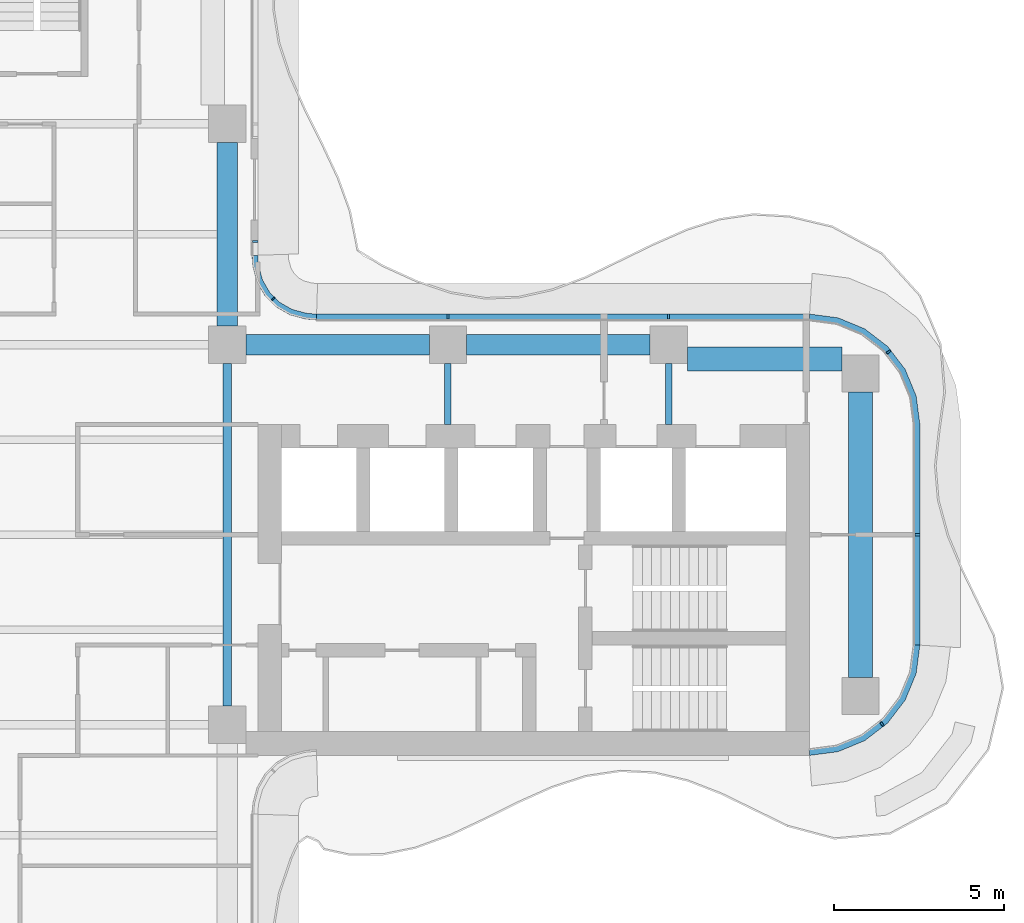
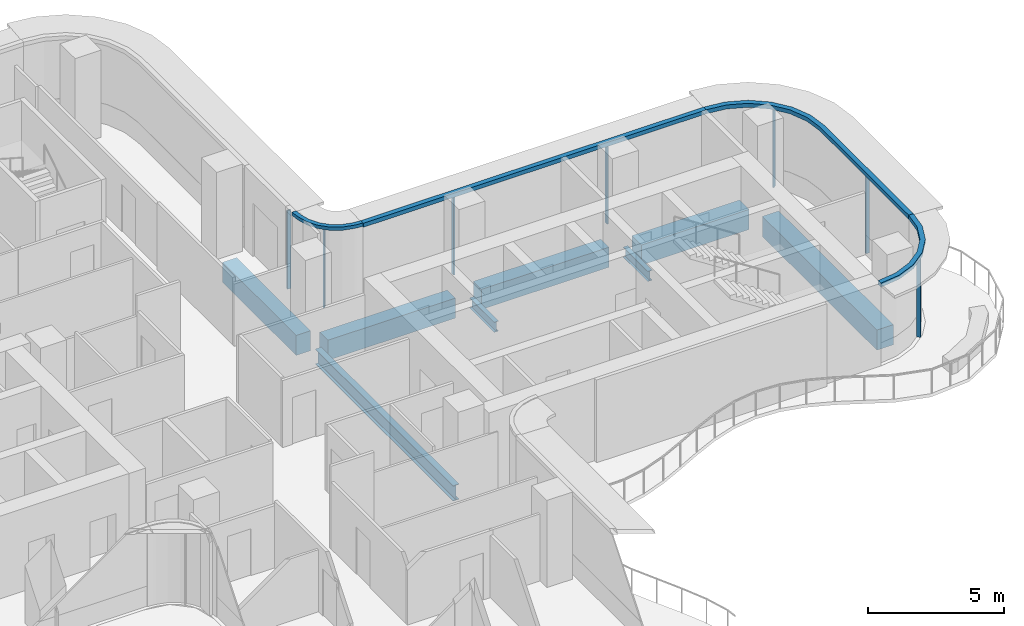
# One storey, part 6 of 16: 11 members, 8 beams, 5 elements without a shape of their own.
"""IFC4 building model written with IfcOpenShell, lengths in metres."""

from ifc_helpers import new_model, si_unit, direction, frame, origin, origin_2d, place, context, subcontext, project, spatial, polyline, rectangle, i_section, outline, extrude, source, transform, mapped, material, layer, layer_set, material_profile, profile_set, type_object, element, aggregate, save


model = new_model("IFC4")

# Units and contexts
model_context = context("Model", 3, precision=1e-05, world=origin(), true_north=direction((0.0, 1.0)))
body_context = subcontext(model_context, "Body", "Model", "MODEL_VIEW")
ifc_project = project(units=[si_unit("LENGTHUNIT", "METRE"), si_unit("AREAUNIT", "SQUARE_METRE"), si_unit("VOLUMEUNIT", "CUBIC_METRE"), si_unit("PLANEANGLEUNIT", "RADIAN"), si_unit("MASSUNIT", "GRAM", prefix="KILO")], contexts=[model_context])

# Site, building, storey
site_placement = place(None, origin())
site = spatial("IfcSite", under=ifc_project, at=site_placement, CompositionType="ELEMENT")
building_placement = place(site_placement, origin())
building = spatial("IfcBuilding", under=site, at=building_placement, Name="Trellis Farm Tower", CompositionType="ELEMENT")
storey_placement = place(building_placement, frame((0.0, 0.0, 263.60009765625)))
storey = spatial("IfcBuildingStorey", under=building, at=storey_placement, Name="L59", CompositionType="ELEMENT", Elevation=263.60009765625)

# Beams
ifc_material_1 = material(Name="Steel S355", Category="steel")
ifc_material_profile_1 = material_profile(ifc_material_1, i_section(OverallWidth=0.253662109375, OverallDepth=0.68359375, WebThickness=0.012451171875, FlangeThickness=0.021728515625, FilletRadius=0.01513671875, at=origin_2d()), Name="UB 686x254x140")
ifc_profile_set_1 = profile_set([ifc_material_profile_1], Name="Steel S355")
beam_type_1 = type_object("IfcBeamType", Name="UB 686x254x140", PredefinedType="BEAM", material=ifc_profile_set_1)
shared_shape_1 = source(origin(), body_context, "Body", "SweptSolid", [
    extrude(i_section(OverallWidth=0.253662109375, OverallDepth=0.68359375, WebThickness=0.012451171875, FlangeThickness=0.021728515625, FilletRadius=0.01513671875, at=origin_2d()), origin(), (0.0, 0.0, 1.0), 10.10009765625),
])
beam_1_placement = place(storey_placement, frame((5.60009765625, -5.050048828125, -0.541748046875), z_axis=(0.0, 1.0, 0.0), x_axis=(-1.0, 0.0, 0.0)))
element("IfcBeam", 1, at=beam_1_placement, inside=storey, type_object=beam_type_1, Name="Girder", PredefinedType="BEAM", context=body_context, shape_type="MappedRepresentation", body=[
    mapped(shared_shape_1, transform((0.0, 0.0, 0.0))),
])
ifc_material_profile_2 = material_profile(ifc_material_1, i_section(OverallWidth=0.1904296875, OverallDepth=0.45703125, WebThickness=0.009033203125, FlangeThickness=0.014404296875, FilletRadius=0.01025390625, at=origin_2d()), Name="UB 457x191x74")
ifc_profile_set_2 = profile_set([ifc_material_profile_2], Name="Steel S355")
beam_type_2 = type_object("IfcBeamType", Name="UB 457x191x74", PredefinedType="BEAM", material=ifc_profile_set_2)
shared_shape_2 = source(origin(), body_context, "Body", "SweptSolid", [
    extrude(i_section(OverallWidth=0.1904296875, OverallDepth=0.45703125, WebThickness=0.009033203125, FlangeThickness=0.014404296875, FilletRadius=0.01025390625, at=origin_2d()), origin(), (0.0, 0.0, 1.0), 1.800048828125),
])
for number, where, z_axis, x_axis, name in (
    (2, (12.10009765625, 3.25, -0.4287109375), (0.0, 1.0, 0.0), (-1.0, 0.0, 0.0), "Girder"),
    (3, (18.60009765625, 3.25, -0.4287109375), (0.0, 1.0, 0.0), (-1.0, 0.0, 0.0), "Girder"),
):
    element("IfcBeam", number, at=place(storey_placement, frame(where, z_axis=z_axis, x_axis=x_axis)), inside=storey, type_object=beam_type_2, Name=name, PredefinedType="BEAM", context=body_context, shape_type="MappedRepresentation", body=[
        mapped(shared_shape_2, transform((0.0, 0.0, 0.0))),
    ])
ifc_material_2 = material(Name="Concrete C60/75", Category="concrete")
ifc_material_profile_3 = material_profile(ifc_material_2, rectangle(XDim=0.60009765625, YDim=0.89990234375, at=origin_2d()), Name="RC spandrel beam 600x900 C60/75")
ifc_profile_set_3 = profile_set([ifc_material_profile_3], Name="Concrete C60/75")
beam_type_3 = type_object("IfcBeamType", Name="RC spandrel beam 600x900 C60/75", PredefinedType="SPANDREL", material=ifc_profile_set_3)
shared_shape_3 = source(origin(), body_context, "Body", "SweptSolid", [
    extrude(rectangle(XDim=0.60009765625, YDim=0.89990234375, at=origin_2d()), origin(), (0.0, 0.0, 1.0), 5.400146484375),
])
for number, where, z_axis, x_axis, name in (
    (4, (6.14990234375, 5.60009765625, -0.650146484375), (1.0, 0.0, 0.0), (0.0, 1.0, 0.0), "Girder"),
    (5, (12.64990234375, 5.60009765625, -0.650146484375), (1.0, 0.0, 0.0), (0.0, 1.0, 0.0), "Girder"),
    (6, (5.60009765625, 6.14990234375, -0.650146484375), (0.0, 1.0, 0.0), (-1.0, 0.0, 0.0), "Girder"),
):
    element("IfcBeam", number, at=place(storey_placement, frame(where, z_axis=z_axis, x_axis=x_axis)), inside=storey, type_object=beam_type_3, Name=name, PredefinedType="SPANDREL", context=body_context, shape_type="MappedRepresentation", body=[
        mapped(shared_shape_3, transform((0.0, 0.0, 0.0))),
    ])
ifc_material_profile_4 = material_profile(ifc_material_2, rectangle(XDim=0.699951171875, YDim=0.89990234375, at=origin_2d()), Name="RC spandrel beam 700x900 C60/75")
ifc_profile_set_4 = profile_set([ifc_material_profile_4], Name="Concrete C60/75")
beam_type_4 = type_object("IfcBeamType", Name="RC spandrel beam 700x900 C60/75", PredefinedType="SPANDREL", material=ifc_profile_set_4)
shared_shape_4 = source(origin(), body_context, "Body", "SweptSolid", [
    extrude(rectangle(XDim=0.699951171875, YDim=0.89990234375, at=origin_2d()), origin(), (0.0, 0.0, 1.0), 8.39990234375),
])
beam_2_placement = place(storey_placement, frame((24.25, -4.199951171875, -0.650146484375), z_axis=(0.0, 1.0, 0.0), x_axis=(-1.0, 0.0, 0.0)))
element("IfcBeam", 7, at=beam_2_placement, inside=storey, type_object=beam_type_4, Name="Girder", PredefinedType="SPANDREL", context=body_context, shape_type="MappedRepresentation", body=[
    mapped(shared_shape_4, transform((0.0, 0.0, 0.0))),
])
shared_shape_5 = source(origin(), body_context, "Body", "SweptSolid", [
    extrude(rectangle(XDim=0.699951171875, YDim=0.89990234375, at=origin_2d()), origin(), (0.0, 0.0, 1.0), 4.550048828125),
])
beam_3_placement = place(storey_placement, frame((19.14990234375, 5.175048828125, -0.650146484375), z_axis=(1.0, 0.0, 0.0), x_axis=(0.0, 1.0, 0.0)))
element("IfcBeam", 8, at=beam_3_placement, inside=storey, type_object=beam_type_4, Name="Girder", PredefinedType="SPANDREL", context=body_context, shape_type="MappedRepresentation", body=[
    mapped(shared_shape_5, transform((0.0, 0.0, 0.0))),
])

# Curtain wall, member
ifc_material_3 = material(Name="Aluminium and glass curtain wall", Category="aluminium")
ifc_layer_1 = layer(ifc_material_3, 0.18994140625)
ifc_layer_set_1 = layer_set([ifc_layer_1], Name="RIBBON CURTAIN WALL CW1")
curtain_wall_type_1 = type_object("IfcCurtainWallType", Name="RIBBON CURTAIN WALL CW1", PredefinedType="NOTDEFINED", material=ifc_layer_set_1)
placement_1 = place(storey_placement, origin())
curtain_wall_1 = element("IfcCurtainWall", 9, at=placement_1, inside=storey, type_object=curtain_wall_type_1, Name="CW1 005", PredefinedType="NOTDEFINED")
ifc_material_4 = material(Name="Aluminium extrusion 6063-T6", Category="aluminium")
ifc_material_profile_5 = material_profile(ifc_material_4, rectangle(XDim=0.06005859375, YDim=0.14990234375, at=origin_2d()), Name="MULLION 60x150")
ifc_profile_set_5 = profile_set([ifc_material_profile_5], Name="Aluminium extrusion 6063-T6")
member_type_1 = type_object("IfcMemberType", Name="CW1 MULLION 60x150", PredefinedType="MULLION", material=ifc_profile_set_5)
shared_shape_6 = source(origin(), body_context, "Body", "SweptSolid", [
    extrude(rectangle(XDim=0.06005859375, YDim=0.14990234375, at=origin_2d()), origin(), (0.0, 0.0, 1.0), 3.52001953125),
])
member_1_placement = place(storey_placement, frame((24.885498046875, -5.578369140625, 0.0), z_axis=(0.0, 0.0, 1.0), x_axis=(0.793353340291, 0.608761429009, 0.0)))
member_1 = element("IfcMember", 10, at=member_1_placement, type_object=member_type_1, Name="MU1 005-01", PredefinedType="MULLION", context=body_context, shape_type="MappedRepresentation", body=[
    mapped(shared_shape_6, transform((0.0, 0.0, 0.0))),
])

# Curtain wall, members
curtain_wall_2 = element("IfcCurtainWall", 11, at=placement_1, inside=storey, type_object=curtain_wall_type_1, Name="CW1 006", PredefinedType="NOTDEFINED")
member_2_placement = place(storey_placement, frame((25.925048828125, 0.0, 0.0), z_axis=(0.0, 0.0, 1.0), x_axis=(0.0, 1.0, 0.0)))
member_2 = element("IfcMember", 12, at=member_2_placement, type_object=member_type_1, Name="MU1 006-01", PredefinedType="MULLION", context=body_context, shape_type="MappedRepresentation", body=[
    mapped(shared_shape_6, transform((0.0, 0.0, 0.0))),
])
member_3_placement = place(storey_placement, frame((25.078369140625, 5.385498046875, 0.0), z_axis=(0.0, 0.0, 1.0), x_axis=(-0.608761429009, 0.793353340291, 0.0)))
member_3 = element("IfcMember", 13, at=member_3_placement, type_object=member_type_1, Name="MU1 006-02", PredefinedType="MULLION", context=body_context, shape_type="MappedRepresentation", body=[
    mapped(shared_shape_6, transform((0.0, 0.0, 0.0))),
])

curtain_wall_3 = element("IfcCurtainWall", 14, at=placement_1, inside=storey, type_object=curtain_wall_type_1, Name="CW1 007", PredefinedType="NOTDEFINED")
member_4_placement = place(storey_placement, frame((18.60009765625, 6.425048828125, 0.0), z_axis=(0.0, 0.0, 1.0), x_axis=(-1.0, 0.0, 0.0)))
member_4 = element("IfcMember", 15, at=member_4_placement, type_object=member_type_1, Name="MU1 007-01", PredefinedType="MULLION", context=body_context, shape_type="MappedRepresentation", body=[
    mapped(shared_shape_6, transform((0.0, 0.0, 0.0))),
])
member_5_placement = place(storey_placement, frame((12.10009765625, 6.425048828125, 0.0), z_axis=(0.0, 0.0, 1.0), x_axis=(-1.0, 0.0, 0.0)))
member_5 = element("IfcMember", 16, at=member_5_placement, type_object=member_type_1, Name="MU1 007-02", PredefinedType="MULLION", context=body_context, shape_type="MappedRepresentation", body=[
    mapped(shared_shape_6, transform((0.0, 0.0, 0.0))),
])

# Curtain wall, member
curtain_wall_4 = element("IfcCurtainWall", 17, at=placement_1, inside=storey, type_object=curtain_wall_type_1, Name="CW1 008", PredefinedType="NOTDEFINED")
member_6_placement = place(storey_placement, frame((6.425048828125, 8.6357421875, 0.0), z_axis=(0.0, 0.0, 1.0), x_axis=(0.0, 1.0, 0.0)))
member_6 = element("IfcMember", 18, at=member_6_placement, type_object=member_type_1, Name="MU1 008-01", PredefinedType="MULLION", context=body_context, shape_type="MappedRepresentation", body=[
    mapped(shared_shape_6, transform((0.0, 0.0, 0.0))),
])
aggregate(curtain_wall_4, [member_6])

# Curtain wall, members
ifc_layer_2 = layer(ifc_material_3, 0.166015625)
ifc_layer_set_2 = layer_set([ifc_layer_2], Name="WINTER GARDEN CURTAIN WALL CW3")
curtain_wall_type_2 = type_object("IfcCurtainWallType", Name="WINTER GARDEN CURTAIN WALL CW3", PredefinedType="NOTDEFINED", material=ifc_layer_set_2)
curtain_wall_5 = element("IfcCurtainWall", 19, at=placement_1, inside=storey, type_object=curtain_wall_type_2, Name="CW3 003", PredefinedType="NOTDEFINED")
ifc_material_profile_6 = material_profile(ifc_material_4, rectangle(XDim=0.050048828125, YDim=0.1201171875, at=origin_2d()), Name="MULLION 50x120")
ifc_profile_set_6 = profile_set([ifc_material_profile_6], Name="Aluminium extrusion 6063-T6")
member_type_2 = type_object("IfcMemberType", Name="CW3 MULLION 50x120", PredefinedType="MULLION", material=ifc_profile_set_6)
shared_shape_7 = source(origin(), body_context, "Body", "SweptSolid", [
    extrude(rectangle(XDim=0.050048828125, YDim=0.1201171875, at=origin_2d()), origin(), (0.0, 0.0, 1.0), 3.5498046875),
])
member_7_placement = place(storey_placement, frame((6.953125, 6.953125, 0.0), z_axis=(0.0, 0.0, 1.0), x_axis=(-0.707106781187, 0.707106781187, 0.0)))
member_7 = element("IfcMember", 20, at=member_7_placement, type_object=member_type_2, Name="MU3 003-01", PredefinedType="MULLION", context=body_context, shape_type="MappedRepresentation", body=[
    mapped(shared_shape_7, transform((0.0, 0.0, 0.0))),
])
ifc_layer_3 = layer(ifc_material_4, 0.169921875)
ifc_layer_set_3 = layer_set([ifc_layer_3], Name="Aluminium extrusion 6063-T6")
member_type_3 = type_object("IfcMemberType", Name="CW3 TRANSOM 170x150", PredefinedType="USERDEFINED", material=ifc_layer_set_3)
shared_shape_8 = source(origin(), body_context, "Body", "SweptSolid", [
    extrude(outline(polyline([(8.2314453125, 6.5), (8.01953125, 6.513916015625), (7.91552734375, 6.527587890625), (7.508544921875, 6.63671875), (7.144287109375, 6.846923828125), (6.846923828125, 7.144287109375), (6.63671875, 7.508544921875), (6.527587890625, 7.91552734375), (6.513916015625, 8.01953125), (6.5, 8.2314453125), (6.330078125, 8.225830078125), (6.3447265625, 8.0029296875), (6.360595703125, 7.88232421875), (6.478271484375, 7.44287109375), (6.7109375, 7.0400390625), (7.0400390625, 6.7109375), (7.44287109375, 6.478271484375), (7.88232421875, 6.360595703125), (8.0029296875, 6.3447265625), (8.225830078125, 6.330078125), (8.2314453125, 6.5)])), origin(), (0.0, 0.0, 1.0), 0.150146484375),
])
member_8_placement = place(storey_placement, frame((0.0, 0.0, 3.5498046875)))
member_8 = element("IfcMember", 21, at=member_8_placement, type_object=member_type_3, Name="TR3 003", ObjectType="TRANSOM", PredefinedType="USERDEFINED", context=body_context, shape_type="MappedRepresentation", body=[
    mapped(shared_shape_8, transform((0.0, 0.0, 0.0))),
])
aggregate(curtain_wall_5, [member_7, member_8])

# Member
ifc_layer_4 = layer(ifc_material_4, 0.199951171875)
ifc_layer_set_4 = layer_set([ifc_layer_4], Name="Aluminium extrusion 6063-T6")
member_type_4 = type_object("IfcMemberType", Name="CW1 TRANSOM 200x180", PredefinedType="USERDEFINED", material=ifc_layer_set_4)
shared_shape_9 = source(origin(), body_context, "Body", "SweptSolid", [
    extrude(outline(polyline([(22.75, -6.5), (23.591064453125, -6.38916015625), (24.375, -6.064697265625), (25.048095703125, -5.548095703125), (25.564697265625, -4.875), (25.88916015625, -4.091064453125), (26.0, -3.25), (25.800048828125, -3.23681640625), (25.6943359375, -4.0390625), (25.389892578125, -4.774169921875), (24.905517578125, -5.405517578125), (24.274169921875, -5.889892578125), (23.5390625, -6.1943359375), (22.73681640625, -6.300048828125), (22.75, -6.5)])), origin(), (0.0, 0.0, 1.0), 0.179931640625),
])
placement_2 = place(storey_placement, frame((0.0, 0.0, 3.52001953125)))
member_9 = element("IfcMember", 22, at=placement_2, type_object=member_type_4, Name="TR1 005", ObjectType="TRANSOM", PredefinedType="USERDEFINED", context=body_context, shape_type="MappedRepresentation", body=[
    mapped(shared_shape_9, transform((0.0, 0.0, 0.0))),
])

aggregate(curtain_wall_1, [member_1, member_9])

shared_shape_10 = source(origin(), body_context, "Body", "SweptSolid", [
    extrude(outline(polyline([(22.75, 6.5), (8.2314453125, 6.5), (8.224853515625, 6.300048828125), (22.73681640625, 6.300048828125), (22.75, 6.5)])), origin(), (0.0, 0.0, 1.0), 0.179931640625),
])
member_10 = element("IfcMember", 23, at=placement_2, type_object=member_type_4, Name="TR1 007", ObjectType="TRANSOM", PredefinedType="USERDEFINED", context=body_context, shape_type="MappedRepresentation", body=[
    mapped(shared_shape_10, transform((0.0, 0.0, 0.0))),
])

aggregate(curtain_wall_3, [member_4, member_5, member_10])

shared_shape_11 = source(origin(), body_context, "Body", "SweptSolid", [
    extrude(outline(polyline([(26.0, -3.25), (26.0, 3.25), (25.88916015625, 4.091064453125), (25.564697265625, 4.875), (25.048095703125, 5.548095703125), (24.375, 6.064697265625), (23.591064453125, 6.38916015625), (22.75, 6.5), (22.73681640625, 6.300048828125), (23.5390625, 6.1943359375), (24.274169921875, 5.889892578125), (24.905517578125, 5.405517578125), (25.389892578125, 4.774169921875), (25.6943359375, 4.0390625), (25.800048828125, 3.23681640625), (25.800048828125, -3.23681640625), (26.0, -3.25)])), origin(), (0.0, 0.0, 1.0), 0.179931640625),
])
member_11 = element("IfcMember", 24, at=placement_2, type_object=member_type_4, Name="TR1 006", ObjectType="TRANSOM", PredefinedType="USERDEFINED", context=body_context, shape_type="MappedRepresentation", body=[
    mapped(shared_shape_11, transform((0.0, 0.0, 0.0))),
])

aggregate(curtain_wall_2, [member_2, member_3, member_11])

save(model, "model.ifc")
